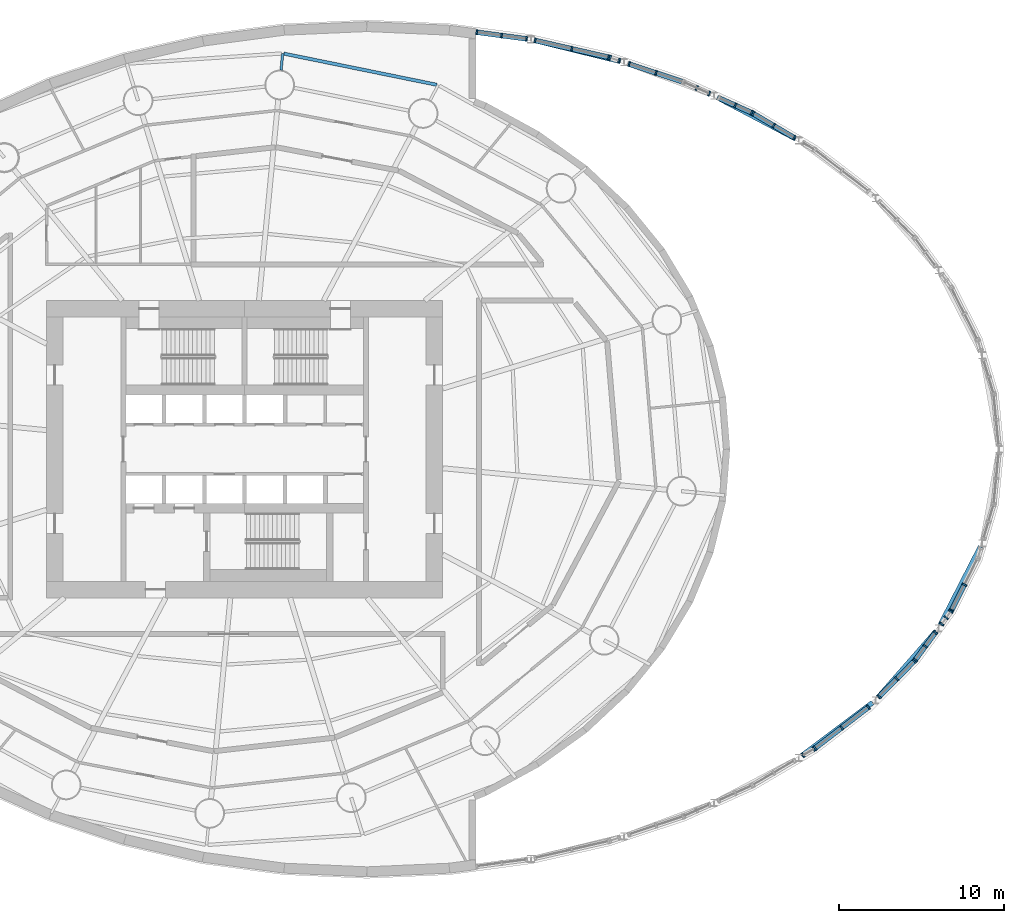
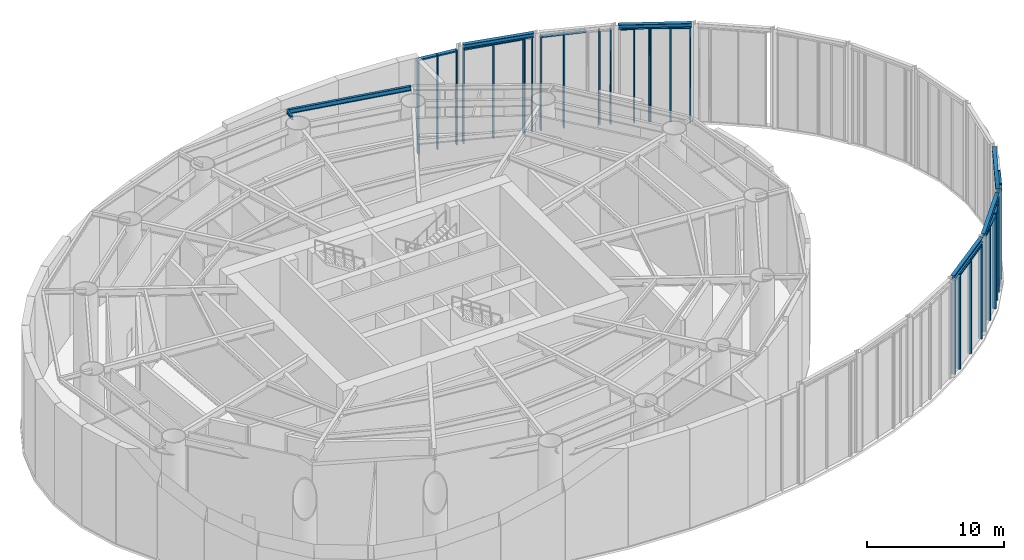
# One storey, part 7 of 19: 50 members, 7 beams, 13 elements without a shape of their own.
"""IFC4 building model written with IfcOpenShell, lengths in metres."""

from ifc_helpers import new_model, si_unit, direction, frame, origin, origin_2d, place, context, subcontext, project, spatial, rectangle, i_section, extrude, material, material_profile, profile_set, type_object, element, aggregate, save


model = new_model("IFC4")

# Units and contexts
model_context = context("Model", 3, precision=1e-05, world=origin(), true_north=direction((0.0, 1.0)))
body_context = subcontext(model_context, "Body", "Model", "MODEL_VIEW")
ifc_project = project(units=[si_unit("LENGTHUNIT", "METRE"), si_unit("AREAUNIT", "SQUARE_METRE"), si_unit("VOLUMEUNIT", "CUBIC_METRE"), si_unit("PLANEANGLEUNIT", "RADIAN"), si_unit("MASSUNIT", "GRAM", prefix="KILO")], contexts=[model_context])

# Site, building, storey
site_placement = place(None, origin())
site = spatial("IfcSite", under=ifc_project, at=site_placement, CompositionType="ELEMENT")
building_placement = place(site_placement, origin())
building = spatial("IfcBuilding", under=site, at=building_placement, Name="Vermilion Reach Broadcast Tower", CompositionType="ELEMENT")
storey_placement = place(building_placement, frame((0.0, 0.0, 17.0)))
storey = spatial("IfcBuildingStorey", under=building, at=storey_placement, Name="L02", CompositionType="ELEMENT", Elevation=17.0)

# Curtain wall, members
ifc_material_1 = material(Name="Low-e laminated clear glass in aluminium frame", Category="aluminium")
curtain_wall_type = type_object("IfcCurtainWallType", Name="Atrium outer wall curtain wall", PredefinedType="NOTDEFINED", material=ifc_material_1)
placement = place(storey_placement, origin())
curtain_wall_1 = element("IfcCurtainWall", 1, at=placement, inside=storey, type_object=curtain_wall_type, Name="Atrium wall L02 05-2", PredefinedType="NOTDEFINED")
ifc_material_2 = material(Name="Anodised aluminium", Category="aluminium")
ifc_material_profile_1 = material_profile(ifc_material_2, rectangle(XDim=0.300048828125, YDim=0.10009765625, at=origin_2d()), Name="Atrium outer wall mullion 100 x 300")
ifc_profile_set_1 = profile_set([ifc_material_profile_1], Name="Anodised aluminium")
member_type_1 = type_object("IfcMemberType", Name="Atrium outer wall mullion 100 x 300", PredefinedType="MULLION", material=ifc_profile_set_1)
member_1_placement = place(storey_placement, frame((27.849609375, -18.5361328125, 0.0), z_axis=(0.0, 0.0, 1.0), x_axis=(-0.508589622127, 0.861009057017, 0.0)))
member_1 = element("IfcMember", 2, at=member_1_placement, type_object=member_type_1, Name="Atrium wall mullion L02 05-2.1", PredefinedType="MULLION", context=body_context, shape_type="SweptSolid", body=[
    extrude(rectangle(XDim=0.300048828125, YDim=0.10009765625, at=origin_2d()), origin(), (0.0, 0.0, 1.0), 8.409912109375),
])
member_2_placement = place(storey_placement, frame((28.48388671875, -18.161376953125, 0.0), z_axis=(0.0, 0.0, 1.0), x_axis=(-0.508589622127, 0.861009057017, 0.0)))
member_2 = element("IfcMember", 3, at=member_2_placement, type_object=member_type_1, Name="Atrium wall mullion L02 05-2.2", PredefinedType="MULLION", context=body_context, shape_type="SweptSolid", body=[
    extrude(rectangle(XDim=0.300048828125, YDim=0.10009765625, at=origin_2d()), origin(), (0.0, 0.0, 1.0), 8.409912109375),
])
aggregate(curtain_wall_1, [member_1, member_2])

curtain_wall_2 = element("IfcCurtainWall", 4, at=placement, inside=storey, type_object=curtain_wall_type, Name="Atrium wall L02 06", PredefinedType="NOTDEFINED")
member_3_placement = place(storey_placement, frame((28.566650390625, -18.10546875, 0.0), z_axis=(0.0, 0.0, 1.0), x_axis=(-0.609113924113, 0.793082736826, 0.0)))
member_3 = element("IfcMember", 5, at=member_3_placement, type_object=member_type_1, Name="Atrium wall mullion L02 06.1", PredefinedType="MULLION", context=body_context, shape_type="SweptSolid", body=[
    extrude(rectangle(XDim=0.300048828125, YDim=0.10009765625, at=origin_2d()), origin(), (0.0, 0.0, 1.0), 8.409912109375),
])
member_4_placement = place(storey_placement, frame((30.17626953125, -16.869140625, 0.0), z_axis=(0.0, 0.0, 1.0), x_axis=(-0.609113924113, 0.793082736826, 0.0)))
member_4 = element("IfcMember", 6, at=member_4_placement, type_object=member_type_1, Name="Atrium wall mullion L02 06.2", PredefinedType="MULLION", context=body_context, shape_type="SweptSolid", body=[
    extrude(rectangle(XDim=0.300048828125, YDim=0.10009765625, at=origin_2d()), origin(), (0.0, 0.0, 1.0), 8.409912109375),
])
member_5_placement = place(storey_placement, frame((31.7861328125, -15.6328125, 0.0), z_axis=(0.0, 0.0, 1.0), x_axis=(-0.609113924113, 0.793082736826, 0.0)))
member_5 = element("IfcMember", 7, at=member_5_placement, type_object=member_type_1, Name="Atrium wall mullion L02 06.3", PredefinedType="MULLION", context=body_context, shape_type="SweptSolid", body=[
    extrude(rectangle(XDim=0.300048828125, YDim=0.10009765625, at=origin_2d()), origin(), (0.0, 0.0, 1.0), 8.409912109375),
])

curtain_wall_3 = element("IfcCurtainWall", 8, at=placement, inside=storey, type_object=curtain_wall_type, Name="Atrium wall L02 07", PredefinedType="NOTDEFINED")
member_6_placement = place(storey_placement, frame((32.43994140625, -14.983154296875, 0.0), z_axis=(0.0, 0.0, 1.0), x_axis=(-0.709925939614, 0.704276337997, 0.0)))
member_6 = element("IfcMember", 9, at=member_6_placement, type_object=member_type_1, Name="Atrium wall mullion L02 07.1", PredefinedType="MULLION", context=body_context, shape_type="SweptSolid", body=[
    extrude(rectangle(XDim=0.300048828125, YDim=0.10009765625, at=origin_2d()), origin(), (0.0, 0.0, 1.0), 8.409912109375),
])
member_7_placement = place(storey_placement, frame((33.5029296875, -13.911865234375, 0.0), z_axis=(0.0, 0.0, 1.0), x_axis=(-0.709925939614, 0.704276337997, 0.0)))
member_7 = element("IfcMember", 10, at=member_7_placement, type_object=member_type_1, Name="Atrium wall mullion L02 07.2", PredefinedType="MULLION", context=body_context, shape_type="SweptSolid", body=[
    extrude(rectangle(XDim=0.300048828125, YDim=0.10009765625, at=origin_2d()), origin(), (0.0, 0.0, 1.0), 8.409912109375),
])
member_8_placement = place(storey_placement, frame((34.56591796875, -12.84033203125, 0.0), z_axis=(0.0, 0.0, 1.0), x_axis=(-0.709925939614, 0.704276337997, 0.0)))
member_8 = element("IfcMember", 11, at=member_8_placement, type_object=member_type_1, Name="Atrium wall mullion L02 07.3", PredefinedType="MULLION", context=body_context, shape_type="SweptSolid", body=[
    extrude(rectangle(XDim=0.300048828125, YDim=0.10009765625, at=origin_2d()), origin(), (0.0, 0.0, 1.0), 8.409912109375),
])

curtain_wall_4 = element("IfcCurtainWall", 12, at=placement, inside=storey, type_object=curtain_wall_type, Name="Atrium wall L02 08-1", PredefinedType="NOTDEFINED")
member_9_placement = place(storey_placement, frame((34.630615234375, -12.764404296875, 0.0), z_axis=(0.0, 0.0, 1.0), x_axis=(-0.806847463604, 0.590759824697, 0.0)))
member_9 = element("IfcMember", 13, at=member_9_placement, type_object=member_type_1, Name="Atrium wall mullion L02 08-1.1", PredefinedType="MULLION", context=body_context, shape_type="SweptSolid", body=[
    extrude(rectangle(XDim=0.300048828125, YDim=0.10009765625, at=origin_2d()), origin(), (0.0, 0.0, 1.0), 8.409912109375),
])
member_10_placement = place(storey_placement, frame((35.236572265625, -11.936767578125, 0.0), z_axis=(0.0, 0.0, 1.0), x_axis=(-0.806847463604, 0.590759824697, 0.0)))
member_10 = element("IfcMember", 14, at=member_10_placement, type_object=member_type_1, Name="Atrium wall mullion L02 08-1.2", PredefinedType="MULLION", context=body_context, shape_type="SweptSolid", body=[
    extrude(rectangle(XDim=0.300048828125, YDim=0.10009765625, at=origin_2d()), origin(), (0.0, 0.0, 1.0), 8.409912109375),
])
member_11_placement = place(storey_placement, frame((35.8427734375, -11.109130859375, 0.0), z_axis=(0.0, 0.0, 1.0), x_axis=(-0.806847463604, 0.590759824697, 0.0)))
member_11 = element("IfcMember", 15, at=member_11_placement, type_object=member_type_1, Name="Atrium wall mullion L02 08-1.3", PredefinedType="MULLION", context=body_context, shape_type="SweptSolid", body=[
    extrude(rectangle(XDim=0.300048828125, YDim=0.10009765625, at=origin_2d()), origin(), (0.0, 0.0, 1.0), 8.409912109375),
])

curtain_wall_5 = element("IfcCurtainWall", 16, at=placement, inside=storey, type_object=curtain_wall_type, Name="Atrium wall L02 08-2", PredefinedType="NOTDEFINED")
member_12_placement = place(storey_placement, frame((36.2255859375, -10.586181640625, 0.0), z_axis=(0.0, 0.0, 1.0), x_axis=(-0.806847463604, 0.590759824697, 0.0)))
member_12 = element("IfcMember", 17, at=member_12_placement, type_object=member_type_1, Name="Atrium wall mullion L02 08-2.1", PredefinedType="MULLION", context=body_context, shape_type="SweptSolid", body=[
    extrude(rectangle(XDim=0.300048828125, YDim=0.10009765625, at=origin_2d()), origin(), (0.0, 0.0, 1.0), 8.409912109375),
])
member_13_placement = place(storey_placement, frame((36.501220703125, -10.209716796875, 0.0), z_axis=(0.0, 0.0, 1.0), x_axis=(-0.806847463604, 0.590759824697, 0.0)))
member_13 = element("IfcMember", 18, at=member_13_placement, type_object=member_type_1, Name="Atrium wall mullion L02 08-2.2", PredefinedType="MULLION", context=body_context, shape_type="SweptSolid", body=[
    extrude(rectangle(XDim=0.300048828125, YDim=0.10009765625, at=origin_2d()), origin(), (0.0, 0.0, 1.0), 8.409912109375),
])
member_14_placement = place(storey_placement, frame((36.777099609375, -9.8330078125, 0.0), z_axis=(0.0, 0.0, 1.0), x_axis=(-0.806847463604, 0.590759824697, 0.0)))
member_14 = element("IfcMember", 19, at=member_14_placement, type_object=member_type_1, Name="Atrium wall mullion L02 08-2.3", PredefinedType="MULLION", context=body_context, shape_type="SweptSolid", body=[
    extrude(rectangle(XDim=0.300048828125, YDim=0.10009765625, at=origin_2d()), origin(), (0.0, 0.0, 1.0), 8.409912109375),
])
aggregate(curtain_wall_5, [member_12, member_13, member_14])

curtain_wall_6 = element("IfcCurtainWall", 20, at=placement, inside=storey, type_object=curtain_wall_type, Name="Atrium wall L02 09", PredefinedType="NOTDEFINED")
member_15_placement = place(storey_placement, frame((36.8291015625, -9.748046875, 0.0), z_axis=(0.0, 0.0, 1.0), x_axis=(-0.892992378986, 0.450071784356, 0.0)))
member_15 = element("IfcMember", 21, at=member_15_placement, type_object=member_type_1, Name="Atrium wall mullion L02 09.1", PredefinedType="MULLION", context=body_context, shape_type="SweptSolid", body=[
    extrude(rectangle(XDim=0.300048828125, YDim=0.10009765625, at=origin_2d()), origin(), (0.0, 0.0, 1.0), 8.409912109375),
])
member_16_placement = place(storey_placement, frame((37.6064453125, -8.20556640625, 0.0), z_axis=(0.0, 0.0, 1.0), x_axis=(-0.892992378986, 0.450071784356, 0.0)))
member_16 = element("IfcMember", 22, at=member_16_placement, type_object=member_type_1, Name="Atrium wall mullion L02 09.2", PredefinedType="MULLION", context=body_context, shape_type="SweptSolid", body=[
    extrude(rectangle(XDim=0.300048828125, YDim=0.10009765625, at=origin_2d()), origin(), (0.0, 0.0, 1.0), 8.409912109375),
])

curtain_wall_7 = element("IfcCurtainWall", 23, at=placement, inside=storey, type_object=curtain_wall_type, Name="Atrium wall L02 18-2", PredefinedType="NOTDEFINED")
member_17_placement = place(storey_placement, frame((27.291748046875, 18.86572265625, 0.0), z_axis=(0.0, 0.0, 1.0), x_axis=(-0.508589622127, -0.861009057017, 0.0)))
member_17 = element("IfcMember", 24, at=member_17_placement, type_object=member_type_1, Name="Atrium wall mullion L02 18-2.1", PredefinedType="MULLION", context=body_context, shape_type="SweptSolid", body=[
    extrude(rectangle(XDim=0.300048828125, YDim=0.10009765625, at=origin_2d()), origin(), (0.0, 0.0, 1.0), 8.409912109375),
])
member_18_placement = place(storey_placement, frame((26.0478515625, 19.6005859375, 0.0), z_axis=(0.0, 0.0, 1.0), x_axis=(-0.508589622127, -0.861009057017, 0.0)))
member_18 = element("IfcMember", 25, at=member_18_placement, type_object=member_type_1, Name="Atrium wall mullion L02 18-2.2", PredefinedType="MULLION", context=body_context, shape_type="SweptSolid", body=[
    extrude(rectangle(XDim=0.300048828125, YDim=0.10009765625, at=origin_2d()), origin(), (0.0, 0.0, 1.0), 8.409912109375),
])
member_19_placement = place(storey_placement, frame((24.8037109375, 20.33544921875, 0.0), z_axis=(0.0, 0.0, 1.0), x_axis=(-0.508589622127, -0.861009057017, 0.0)))
member_19 = element("IfcMember", 26, at=member_19_placement, type_object=member_type_1, Name="Atrium wall mullion L02 18-2.3", PredefinedType="MULLION", context=body_context, shape_type="SweptSolid", body=[
    extrude(rectangle(XDim=0.300048828125, YDim=0.10009765625, at=origin_2d()), origin(), (0.0, 0.0, 1.0), 8.409912109375),
])

curtain_wall_8 = element("IfcCurtainWall", 27, at=placement, inside=storey, type_object=curtain_wall_type, Name="Atrium wall L02 19-1", PredefinedType="NOTDEFINED")
member_20_placement = place(storey_placement, frame((24.715087890625, 20.38134765625, 0.0), z_axis=(0.0, 0.0, 1.0), x_axis=(-0.410407876277, -0.911902064418, 0.0)))
member_20 = element("IfcMember", 28, at=member_20_placement, type_object=member_type_1, Name="Atrium wall mullion L02 19-1.1", PredefinedType="MULLION", context=body_context, shape_type="SweptSolid", body=[
    extrude(rectangle(XDim=0.300048828125, YDim=0.10009765625, at=origin_2d()), origin(), (0.0, 0.0, 1.0), 8.409912109375),
])
member_21_placement = place(storey_placement, frame((23.720947265625, 20.82861328125, 0.0), z_axis=(0.0, 0.0, 1.0), x_axis=(-0.410407876277, -0.911902064418, 0.0)))
member_21 = element("IfcMember", 29, at=member_21_placement, type_object=member_type_1, Name="Atrium wall mullion L02 19-1.2", PredefinedType="MULLION", context=body_context, shape_type="SweptSolid", body=[
    extrude(rectangle(XDim=0.300048828125, YDim=0.10009765625, at=origin_2d()), origin(), (0.0, 0.0, 1.0), 8.409912109375),
])

curtain_wall_9 = element("IfcCurtainWall", 30, at=placement, inside=storey, type_object=curtain_wall_type, Name="Atrium wall L02 19-2", PredefinedType="NOTDEFINED")
member_22_placement = place(storey_placement, frame((22.1357421875, 21.5419921875, 0.0), z_axis=(0.0, 0.0, 1.0), x_axis=(-0.410407876277, -0.911902064418, 0.0)))
member_22 = element("IfcMember", 31, at=member_22_placement, type_object=member_type_1, Name="Atrium wall mullion L02 19-2.1", PredefinedType="MULLION", context=body_context, shape_type="SweptSolid", body=[
    extrude(rectangle(XDim=0.300048828125, YDim=0.10009765625, at=origin_2d()), origin(), (0.0, 0.0, 1.0), 8.409912109375),
])
member_23_placement = place(storey_placement, frame((21.386474609375, 21.87939453125, 0.0), z_axis=(0.0, 0.0, 1.0), x_axis=(-0.410407876277, -0.911902064418, 0.0)))
member_23 = element("IfcMember", 32, at=member_23_placement, type_object=member_type_1, Name="Atrium wall mullion L02 19-2.2", PredefinedType="MULLION", context=body_context, shape_type="SweptSolid", body=[
    extrude(rectangle(XDim=0.300048828125, YDim=0.10009765625, at=origin_2d()), origin(), (0.0, 0.0, 1.0), 8.409912109375),
])
aggregate(curtain_wall_9, [member_22, member_23])

curtain_wall_10 = element("IfcCurtainWall", 33, at=placement, inside=storey, type_object=curtain_wall_type, Name="Atrium wall L02 20-1", PredefinedType="NOTDEFINED")
member_24_placement = place(storey_placement, frame((18.91796875, 22.79296875, 0.0), z_axis=(0.0, 0.0, 1.0), x_axis=(-0.315228098746, -0.949015935462, 0.0)))
member_24 = element("IfcMember", 34, at=member_24_placement, type_object=member_type_1, Name="Atrium wall mullion L02 20-1.2", PredefinedType="MULLION", context=body_context, shape_type="SweptSolid", body=[
    extrude(rectangle(XDim=0.300048828125, YDim=0.10009765625, at=origin_2d()), origin(), (0.0, 0.0, 1.0), 8.409912109375),
])
member_25_placement = place(storey_placement, frame((17.2919921875, 23.3330078125, 0.0), z_axis=(0.0, 0.0, 1.0), x_axis=(-0.315228098746, -0.949015935462, 0.0)))
member_25 = element("IfcMember", 35, at=member_25_placement, type_object=member_type_1, Name="Atrium wall mullion L02 20-1.3", PredefinedType="MULLION", context=body_context, shape_type="SweptSolid", body=[
    extrude(rectangle(XDim=0.300048828125, YDim=0.10009765625, at=origin_2d()), origin(), (0.0, 0.0, 1.0), 8.409912109375),
])

curtain_wall_11 = element("IfcCurtainWall", 36, at=placement, inside=storey, type_object=curtain_wall_type, Name="Atrium wall L02 20-2", PredefinedType="NOTDEFINED")
member_26_placement = place(storey_placement, frame((16.67724609375, 23.537353515625, 0.0), z_axis=(0.0, 0.0, 1.0), x_axis=(-0.315228098746, -0.949015935462, 0.0)))
member_26 = element("IfcMember", 37, at=member_26_placement, type_object=member_type_1, Name="Atrium wall mullion L02 20-2.1", PredefinedType="MULLION", context=body_context, shape_type="SweptSolid", body=[
    extrude(rectangle(XDim=0.300048828125, YDim=0.10009765625, at=origin_2d()), origin(), (0.0, 0.0, 1.0), 8.409912109375),
])
member_27_placement = place(storey_placement, frame((16.138427734375, 23.71630859375, 0.0), z_axis=(0.0, 0.0, 1.0), x_axis=(-0.315228098746, -0.949015935462, 0.0)))
member_27 = element("IfcMember", 38, at=member_27_placement, type_object=member_type_1, Name="Atrium wall mullion L02 20-2.2", PredefinedType="MULLION", context=body_context, shape_type="SweptSolid", body=[
    extrude(rectangle(XDim=0.300048828125, YDim=0.10009765625, at=origin_2d()), origin(), (0.0, 0.0, 1.0), 8.409912109375),
])
aggregate(curtain_wall_11, [member_26, member_27])

curtain_wall_12 = element("IfcCurtainWall", 39, at=placement, inside=storey, type_object=curtain_wall_type, Name="Atrium wall L02 21", PredefinedType="NOTDEFINED")
member_28_placement = place(storey_placement, frame((16.042236328125, 23.7431640625, 0.0), z_axis=(0.0, 0.0, 1.0), x_axis=(-0.222891523278, -0.974843253478, 0.0)))
member_28 = element("IfcMember", 40, at=member_28_placement, type_object=member_type_1, Name="Atrium wall mullion L02 21.1", PredefinedType="MULLION", context=body_context, shape_type="SweptSolid", body=[
    extrude(rectangle(XDim=0.300048828125, YDim=0.10009765625, at=origin_2d()), origin(), (0.0, 0.0, 1.0), 8.409912109375),
])
member_29_placement = place(storey_placement, frame((13.818359375, 24.251708984375, 0.0), z_axis=(0.0, 0.0, 1.0), x_axis=(-0.222891523278, -0.974843253478, 0.0)))
member_29 = element("IfcMember", 41, at=member_29_placement, type_object=member_type_1, Name="Atrium wall mullion L02 21.2", PredefinedType="MULLION", context=body_context, shape_type="SweptSolid", body=[
    extrude(rectangle(XDim=0.300048828125, YDim=0.10009765625, at=origin_2d()), origin(), (0.0, 0.0, 1.0), 8.409912109375),
])
member_30_placement = place(storey_placement, frame((11.594482421875, 24.760009765625, 0.0), z_axis=(0.0, 0.0, 1.0), x_axis=(-0.222891523278, -0.974843253478, 0.0)))
member_30 = element("IfcMember", 42, at=member_30_placement, type_object=member_type_1, Name="Atrium wall mullion L02 21.3", PredefinedType="MULLION", context=body_context, shape_type="SweptSolid", body=[
    extrude(rectangle(XDim=0.300048828125, YDim=0.10009765625, at=origin_2d()), origin(), (0.0, 0.0, 1.0), 8.409912109375),
])

curtain_wall_13 = element("IfcCurtainWall", 43, at=placement, inside=storey, type_object=curtain_wall_type, Name="Atrium wall L02 22", PredefinedType="NOTDEFINED")
member_31_placement = place(storey_placement, frame((11.075439453125, 24.85400390625, 0.0), z_axis=(0.0, 0.0, 1.0), x_axis=(-0.132793713723, -0.991143697753, 0.0)))
member_31 = element("IfcMember", 44, at=member_31_placement, type_object=member_type_1, Name="Atrium wall mullion L02 22.1", PredefinedType="MULLION", context=body_context, shape_type="SweptSolid", body=[
    extrude(rectangle(XDim=0.300048828125, YDim=0.10009765625, at=origin_2d()), origin(), (0.0, 0.0, 1.0), 8.409912109375),
])
member_32_placement = place(storey_placement, frame((9.569091796875, 25.055908203125, 0.0), z_axis=(0.0, 0.0, 1.0), x_axis=(-0.132793713723, -0.991143697753, 0.0)))
member_32 = element("IfcMember", 45, at=member_32_placement, type_object=member_type_1, Name="Atrium wall mullion L02 22.2", PredefinedType="MULLION", context=body_context, shape_type="SweptSolid", body=[
    extrude(rectangle(XDim=0.300048828125, YDim=0.10009765625, at=origin_2d()), origin(), (0.0, 0.0, 1.0), 8.409912109375),
])
member_33_placement = place(storey_placement, frame((8.062744140625, 25.257568359375, 0.0), z_axis=(0.0, 0.0, 1.0), x_axis=(-0.132793713723, -0.991143697753, 0.0)))
member_33 = element("IfcMember", 46, at=member_33_placement, type_object=member_type_1, Name="Atrium wall mullion L02 22.3", PredefinedType="MULLION", context=body_context, shape_type="SweptSolid", body=[
    extrude(rectangle(XDim=0.300048828125, YDim=0.10009765625, at=origin_2d()), origin(), (0.0, 0.0, 1.0), 8.409912109375),
])

# Member
ifc_material_3 = material(Name="Anodised aluminium", Category="aluminium")
ifc_material_profile_2 = material_profile(ifc_material_3, rectangle(XDim=0.300048828125, YDim=0.1201171875, at=origin_2d()), Name="Atrium outer wall transom 300 x 120")
ifc_profile_set_2 = profile_set([ifc_material_profile_2], Name="Anodised aluminium")
member_type_2 = type_object("IfcMemberType", Name="Atrium outer wall transom 300 x 120", PredefinedType="USERDEFINED", material=ifc_profile_set_2)
member_34_placement = place(storey_placement, frame((28.606201171875, -18.0751953125, 8.35009765625), z_axis=(0.79307054721, 0.609129794993, 0.0), x_axis=(-0.609129794993, 0.79307054721, 0.0)))
member_34 = element("IfcMember", 47, at=member_34_placement, type_object=member_type_2, Name="Atrium wall transom L02 06.1.2", ObjectType="TRANSOM", PredefinedType="USERDEFINED", context=body_context, shape_type="SweptSolid", body=[
    extrude(rectangle(XDim=0.300048828125, YDim=0.1201171875, at=origin_2d()), origin(), (0.0, 0.0, 1.0), 1.929931640625),
])

member_35_placement = place(storey_placement, frame((30.216064453125, -16.8388671875, 8.35009765625), z_axis=(0.79307054721, 0.609129794993, 0.0), x_axis=(-0.609129794993, 0.79307054721, 0.0)))
member_35 = element("IfcMember", 48, at=member_35_placement, type_object=member_type_2, Name="Atrium wall transom L02 06.2.2", ObjectType="TRANSOM", PredefinedType="USERDEFINED", context=body_context, shape_type="SweptSolid", body=[
    extrude(rectangle(XDim=0.300048828125, YDim=0.1201171875, at=origin_2d()), origin(), (0.0, 0.0, 1.0), 1.929931640625),
])

aggregate(curtain_wall_2, [member_3, member_4, member_5, member_34, member_35])

member_36_placement = place(storey_placement, frame((32.475341796875, -14.94775390625, 8.35009765625), z_axis=(0.704242454473, 0.709959551889, 0.0), x_axis=(-0.709959551889, 0.704242454473, 0.0)))
member_36 = element("IfcMember", 49, at=member_36_placement, type_object=member_type_2, Name="Atrium wall transom L02 07.1.2", ObjectType="TRANSOM", PredefinedType="USERDEFINED", context=body_context, shape_type="SweptSolid", body=[
    extrude(rectangle(XDim=0.300048828125, YDim=0.1201171875, at=origin_2d()), origin(), (0.0, 0.0, 1.0), 1.4091796875),
])

member_37_placement = place(storey_placement, frame((33.5380859375, -13.876220703125, 8.35009765625), z_axis=(0.704329761537, 0.709872937231, 0.0), x_axis=(-0.709872937231, 0.704329761537, 0.0)))
member_37 = element("IfcMember", 50, at=member_37_placement, type_object=member_type_2, Name="Atrium wall transom L02 07.2.2", ObjectType="TRANSOM", PredefinedType="USERDEFINED", context=body_context, shape_type="SweptSolid", body=[
    extrude(rectangle(XDim=0.300048828125, YDim=0.1201171875, at=origin_2d()), origin(), (0.0, 0.0, 1.0), 1.409423828125),
])

aggregate(curtain_wall_3, [member_6, member_7, member_8, member_36, member_37])

member_38_placement = place(storey_placement, frame((34.66015625, -12.72412109375, 8.35009765625), z_axis=(0.590677537, 0.806907706794, 0.0), x_axis=(-0.806907706794, 0.590677537, 0.0)))
member_38 = element("IfcMember", 51, at=member_38_placement, type_object=member_type_2, Name="Atrium wall transom L02 08-1.1.2", ObjectType="TRANSOM", PredefinedType="USERDEFINED", context=body_context, shape_type="SweptSolid", body=[
    extrude(rectangle(XDim=0.300048828125, YDim=0.1201171875, at=origin_2d()), origin(), (0.0, 0.0, 1.0), 0.92578125),
])

member_39_placement = place(storey_placement, frame((35.26611328125, -11.896484375, 8.35009765625), z_axis=(0.590849188932, 0.806782025047, 0.0), x_axis=(-0.806782025047, 0.590849188932, 0.0)))
member_39 = element("IfcMember", 52, at=member_39_placement, type_object=member_type_2, Name="Atrium wall transom L02 08-1.2.2", ObjectType="TRANSOM", PredefinedType="USERDEFINED", context=body_context, shape_type="SweptSolid", body=[
    extrude(rectangle(XDim=0.300048828125, YDim=0.1201171875, at=origin_2d()), origin(), (0.0, 0.0, 1.0), 0.926025390625),
])

aggregate(curtain_wall_4, [member_9, member_10, member_11, member_38, member_39])

member_40_placement = place(storey_placement, frame((36.8515625, -9.703369140625, 8.35009765625), z_axis=(0.450091864122, 0.892982258419, 0.0), x_axis=(-0.892982258419, 0.450091864122, 0.0)))
member_40 = element("IfcMember", 53, at=member_40_placement, type_object=member_type_2, Name="Atrium wall transom L02 09.1.2", ObjectType="TRANSOM", PredefinedType="USERDEFINED", context=body_context, shape_type="SweptSolid", body=[
    extrude(rectangle(XDim=0.300048828125, YDim=0.1201171875, at=origin_2d()), origin(), (0.0, 0.0, 1.0), 1.627197265625),
])

aggregate(curtain_wall_6, [member_15, member_16, member_40])

member_41_placement = place(storey_placement, frame((27.248779296875, 18.89111328125, 8.35009765625), z_axis=(-0.861060223376, 0.508502990866, 0.0), x_axis=(-0.508502990866, -0.861060223376, 0.0)))
member_41 = element("IfcMember", 54, at=member_41_placement, type_object=member_type_2, Name="Atrium wall transom L02 18-2.1.2", ObjectType="TRANSOM", PredefinedType="USERDEFINED", context=body_context, shape_type="SweptSolid", body=[
    extrude(rectangle(XDim=0.300048828125, YDim=0.1201171875, at=origin_2d()), origin(), (0.0, 0.0, 1.0), 1.3447265625),
])

member_42_placement = place(storey_placement, frame((26.004638671875, 19.6259765625, 8.35009765625), z_axis=(-0.861060223376, 0.508502990866, 0.0), x_axis=(-0.508502990866, -0.861060223376, 0.0)))
member_42 = element("IfcMember", 55, at=member_42_placement, type_object=member_type_2, Name="Atrium wall transom L02 18-2.2.2", ObjectType="TRANSOM", PredefinedType="USERDEFINED", context=body_context, shape_type="SweptSolid", body=[
    extrude(rectangle(XDim=0.300048828125, YDim=0.1201171875, at=origin_2d()), origin(), (0.0, 0.0, 1.0), 1.3447265625),
])

aggregate(curtain_wall_7, [member_17, member_18, member_19, member_41, member_42])

member_43_placement = place(storey_placement, frame((24.66943359375, 20.40185546875, 8.35009765625), z_axis=(-0.911972242519, 0.410251909044, 0.0), x_axis=(-0.410251909044, -0.911972242519, 0.0)))
member_43 = element("IfcMember", 56, at=member_43_placement, type_object=member_type_2, Name="Atrium wall transom L02 19-1.1.2", ObjectType="TRANSOM", PredefinedType="USERDEFINED", context=body_context, shape_type="SweptSolid", body=[
    extrude(rectangle(XDim=0.300048828125, YDim=0.1201171875, at=origin_2d()), origin(), (0.0, 0.0, 1.0), 0.990234375),
])

member_44_placement = place(storey_placement, frame((23.67529296875, 20.84912109375, 8.35009765625), z_axis=(-0.911879986632, 0.410456928289, 0.0), x_axis=(-0.410456928289, -0.911879986632, 0.0)))
member_44 = element("IfcMember", 57, at=member_44_placement, type_object=member_type_2, Name="Atrium wall transom L02 19-1.2.2", ObjectType="TRANSOM", PredefinedType="USERDEFINED", context=body_context, shape_type="SweptSolid", body=[
    extrude(rectangle(XDim=0.300048828125, YDim=0.1201171875, at=origin_2d()), origin(), (0.0, 0.0, 1.0), 0.990234375),
])

aggregate(curtain_wall_8, [member_20, member_21, member_43, member_44])

member_45_placement = place(storey_placement, frame((20.49658203125, 22.2685546875, 8.35009765625), z_axis=(-0.949015707131, 0.315228786151, 0.0), x_axis=(-0.315228786151, -0.949015707131, 0.0)))
member_45 = element("IfcMember", 58, at=member_45_placement, type_object=member_type_2, Name="Atrium wall transom L02 20-1.1.2", ObjectType="TRANSOM", PredefinedType="USERDEFINED", context=body_context, shape_type="SweptSolid", body=[
    extrude(rectangle(XDim=0.300048828125, YDim=0.1201171875, at=origin_2d()), origin(), (0.0, 0.0, 1.0), 1.61328125),
])

member_46_placement = place(storey_placement, frame((18.87060546875, 22.808837890625, 8.35009765625), z_axis=(-0.949015707131, 0.315228786151, 0.0), x_axis=(-0.315228786151, -0.949015707131, 0.0)))
member_46 = element("IfcMember", 59, at=member_46_placement, type_object=member_type_2, Name="Atrium wall transom L02 20-1.2.2", ObjectType="TRANSOM", PredefinedType="USERDEFINED", context=body_context, shape_type="SweptSolid", body=[
    extrude(rectangle(XDim=0.300048828125, YDim=0.1201171875, at=origin_2d()), origin(), (0.0, 0.0, 1.0), 1.61328125),
])

aggregate(curtain_wall_10, [member_24, member_25, member_45, member_46])

member_47_placement = place(storey_placement, frame((15.99365234375, 23.75439453125, 8.35009765625), z_axis=(-0.97485503326, 0.222839996696, 0.0), x_axis=(-0.222839996696, -0.97485503326, 0.0)))
member_47 = element("IfcMember", 60, at=member_47_placement, type_object=member_type_2, Name="Atrium wall transom L02 21.1.2", ObjectType="TRANSOM", PredefinedType="USERDEFINED", context=body_context, shape_type="SweptSolid", body=[
    extrude(rectangle(XDim=0.300048828125, YDim=0.1201171875, at=origin_2d()), origin(), (0.0, 0.0, 1.0), 2.181396484375),
])

member_48_placement = place(storey_placement, frame((13.769775390625, 24.2626953125, 8.35009765625), z_axis=(-0.97483071414, 0.222946358504, 0.0), x_axis=(-0.222946358504, -0.97483071414, 0.0)))
member_48 = element("IfcMember", 61, at=member_48_placement, type_object=member_type_2, Name="Atrium wall transom L02 21.2.2", ObjectType="TRANSOM", PredefinedType="USERDEFINED", context=body_context, shape_type="SweptSolid", body=[
    extrude(rectangle(XDim=0.300048828125, YDim=0.1201171875, at=origin_2d()), origin(), (0.0, 0.0, 1.0), 2.181396484375),
])

aggregate(curtain_wall_12, [member_28, member_29, member_30, member_47, member_48])

member_49_placement = place(storey_placement, frame((11.02587890625, 24.860595703125, 8.35009765625), z_axis=(-0.991149634463, 0.132749395872, 0.0), x_axis=(-0.132749395872, -0.991149634463, 0.0)))
member_49 = element("IfcMember", 62, at=member_49_placement, type_object=member_type_2, Name="Atrium wall transom L02 22.1.2", ObjectType="TRANSOM", PredefinedType="USERDEFINED", context=body_context, shape_type="SweptSolid", body=[
    extrude(rectangle(XDim=0.300048828125, YDim=0.1201171875, at=origin_2d()), origin(), (0.0, 0.0, 1.0), 1.419677734375),
])

member_50_placement = place(storey_placement, frame((9.51953125, 25.0625, 8.35009765625), z_axis=(-0.991149634463, 0.132749395872, 0.0), x_axis=(-0.132749395872, -0.991149634463, 0.0)))
member_50 = element("IfcMember", 63, at=member_50_placement, type_object=member_type_2, Name="Atrium wall transom L02 22.2.2", ObjectType="TRANSOM", PredefinedType="USERDEFINED", context=body_context, shape_type="SweptSolid", body=[
    extrude(rectangle(XDim=0.300048828125, YDim=0.1201171875, at=origin_2d()), origin(), (0.0, 0.0, 1.0), 1.419677734375),
])

aggregate(curtain_wall_13, [member_31, member_32, member_33, member_49, member_50])

# Beams
ifc_material_4 = material(Name="Steel S355J2", Category="steel")
ifc_material_profile_3 = material_profile(ifc_material_4, i_section(OverallWidth=0.199951171875, OverallDepth=0.39990234375, WebThickness=0.008056640625, FlangeThickness=0.012939453125, at=origin_2d()), Name="S355J2 HN 400x200x8x13")
ifc_profile_set_3 = profile_set([ifc_material_profile_3], Name="Steel S355J2")
beam_type_1 = type_object("IfcBeamType", Name="EB1 HN 400x200x8x13", PredefinedType="BEAM", material=ifc_profile_set_3)
beam_1_placement = place(storey_placement, frame((5.64697265625, 22.07373046875, 8.60009765625), z_axis=(-0.979888700242, 0.199544819871, 0.0), x_axis=(-0.199544819871, -0.979888700242, 0.0)))
element("IfcBeam", 64, at=beam_1_placement, inside=storey, type_object=beam_type_1, Name="Edge beam EB1-03", PredefinedType="BEAM", context=body_context, shape_type="SweptSolid", body=[
    extrude(i_section(OverallWidth=0.199951171875, OverallDepth=0.39990234375, WebThickness=0.008056640625, FlangeThickness=0.012939453125, at=origin_2d()), origin(), (0.0, 0.0, 1.0), 9.458740234375),
])
ifc_material_5 = material(Name="Steel S355J2", Category="steel")
ifc_material_profile_4 = material_profile(ifc_material_5, i_section(OverallWidth=0.14990234375, OverallDepth=0.300048828125, WebThickness=0.006591796875, FlangeThickness=0.009033203125, at=origin_2d()), Name="S355J2 HN 300x150x6.5x9")
ifc_profile_set_4 = profile_set([ifc_material_profile_4], Name="Steel S355J2")
beam_type_2 = type_object("IfcBeamType", Name="GS1 HN 300x150x6.5x9", PredefinedType="BEAM", material=ifc_profile_set_4)
beam_2_placement = place(storey_placement, frame((-3.793212890625, 22.959716796875, 8.64990234375), z_axis=(0.095621304963, 0.99541778467, 0.0), x_axis=(-0.99541778467, 0.095621304963, 0.0)))
element("IfcBeam", 65, at=beam_2_placement, inside=storey, type_object=beam_type_2, Name="Cantilever stub GS1-04", PredefinedType="BEAM", context=body_context, shape_type="SweptSolid", body=[
    extrude(i_section(OverallWidth=0.14990234375, OverallDepth=0.300048828125, WebThickness=0.006591796875, FlangeThickness=0.009033203125, at=origin_2d()), origin(), (0.0, 0.0, 1.0), 1.021240234375),
])
ifc_material_6 = material(Name="Steel S355J2", Category="steel")
ifc_material_profile_5 = material_profile(ifc_material_6, i_section(OverallWidth=0.300048828125, OverallDepth=0.389892578125, WebThickness=0.010009765625, FlangeThickness=0.01611328125, at=origin_2d()), Name="S355J2 HM 390x300x10x16")
ifc_profile_set_5 = profile_set([ifc_material_profile_5], Name="Steel S355J2")
beam_type_3 = type_object("IfcBeamType", Name="RM1 HM 390x300x10x16", PredefinedType="BEAM", material=ifc_profile_set_5)
beam_3_placement = place(storey_placement, frame((27.74658203125, -18.568603515625, 8.60498046875), z_axis=(0.799426308376, 0.600764161278, 0.0), x_axis=(-0.600764161278, 0.799426308376, 0.0)))
element("IfcBeam", 66, at=beam_3_placement, inside=storey, type_object=beam_type_3, Name="Rim beam AP04-AP05", PredefinedType="BEAM", context=body_context, shape_type="SweptSolid", body=[
    extrude(i_section(OverallWidth=0.300048828125, OverallDepth=0.389892578125, WebThickness=0.010009765625, FlangeThickness=0.01611328125, at=origin_2d()), origin(), (0.0, 0.0, 1.0), 5.365478515625),
])
beam_4_placement = place(storey_placement, frame((32.356689453125, -15.047607421875, 8.60498046875), z_axis=(0.658704425983, 0.752401807009, 0.0), x_axis=(-0.752401807009, 0.658704425983, 0.0)))
element("IfcBeam", 67, at=beam_4_placement, inside=storey, type_object=beam_type_3, Name="Rim beam AP05-AP06", PredefinedType="BEAM", context=body_context, shape_type="SweptSolid", body=[
    extrude(i_section(OverallWidth=0.300048828125, OverallDepth=0.389892578125, WebThickness=0.010009765625, FlangeThickness=0.01611328125, at=origin_2d()), origin(), (0.0, 0.0, 1.0), 5.3623046875),
])
beam_5_placement = place(storey_placement, frame((36.13427734375, -10.65185546875, 8.60498046875), z_axis=(0.456870131235, 0.889533407571, 0.0), x_axis=(-0.889533407571, 0.456870131235, 0.0)))
element("IfcBeam", 68, at=beam_5_placement, inside=storey, type_object=beam_type_3, Name="Rim beam AP06-AP07", PredefinedType="BEAM", context=body_context, shape_type="SweptSolid", body=[
    extrude(i_section(OverallWidth=0.300048828125, OverallDepth=0.389892578125, WebThickness=0.010009765625, FlangeThickness=0.01611328125, at=origin_2d()), origin(), (0.0, 0.0, 1.0), 5.345458984375),
])
beam_6_placement = place(storey_placement, frame((27.3759765625, 18.80322265625, 8.60498046875), z_axis=(-0.884684356477, 0.46619050763, 0.0), x_axis=(-0.46619050763, -0.884684356477, 0.0)))
element("IfcBeam", 69, at=beam_6_placement, inside=storey, type_object=beam_type_3, Name="Rim beam AP12-AP13", PredefinedType="BEAM", context=body_context, shape_type="SweptSolid", body=[
    extrude(i_section(OverallWidth=0.300048828125, OverallDepth=0.389892578125, WebThickness=0.010009765625, FlangeThickness=0.01611328125, at=origin_2d()), origin(), (0.0, 0.0, 1.0), 5.369384765625),
])
beam_7_placement = place(storey_placement, frame((16.77099609375, 23.487548828125, 8.60498046875), z_axis=(-0.97127010403, 0.237979799598, 0.0), x_axis=(-0.237979799598, -0.97127010403, 0.0)))
element("IfcBeam", 70, at=beam_7_placement, inside=storey, type_object=beam_type_3, Name="Rim beam AP14-AP15", PredefinedType="BEAM", context=body_context, shape_type="SweptSolid", body=[
    extrude(i_section(OverallWidth=0.300048828125, OverallDepth=0.389892578125, WebThickness=0.010009765625, FlangeThickness=0.01611328125, at=origin_2d()), origin(), (0.0, 0.0, 1.0), 5.37451171875),
])

save(model, "model.ifc")
